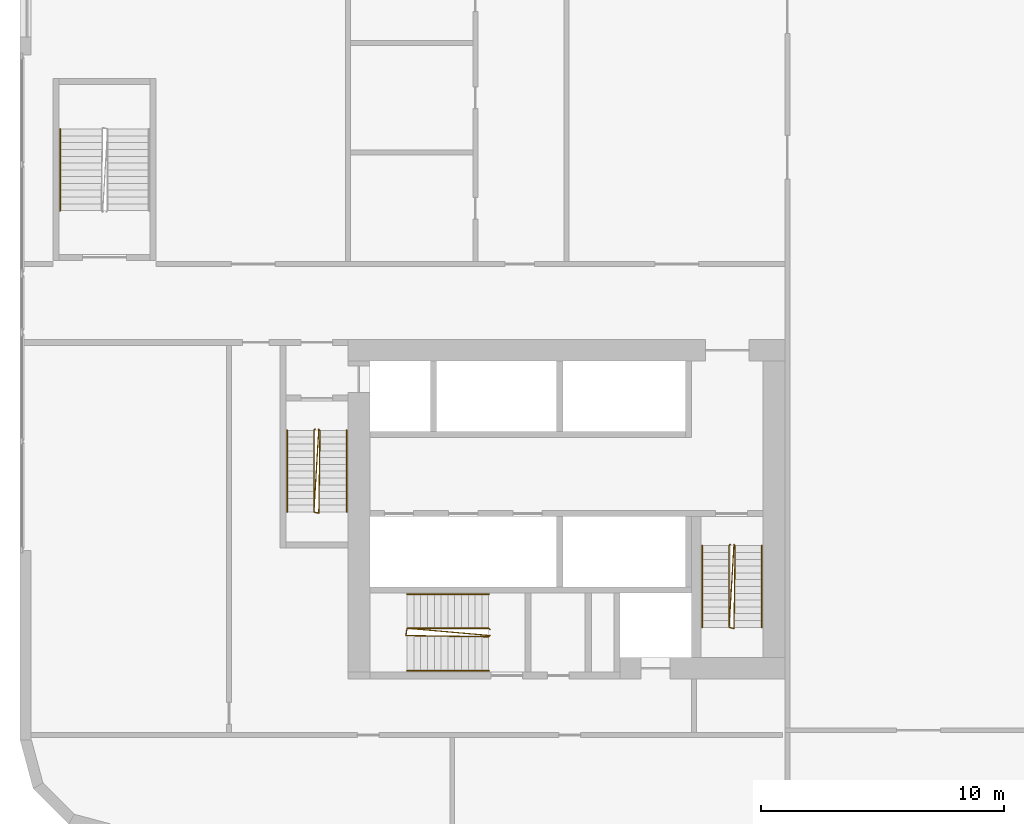
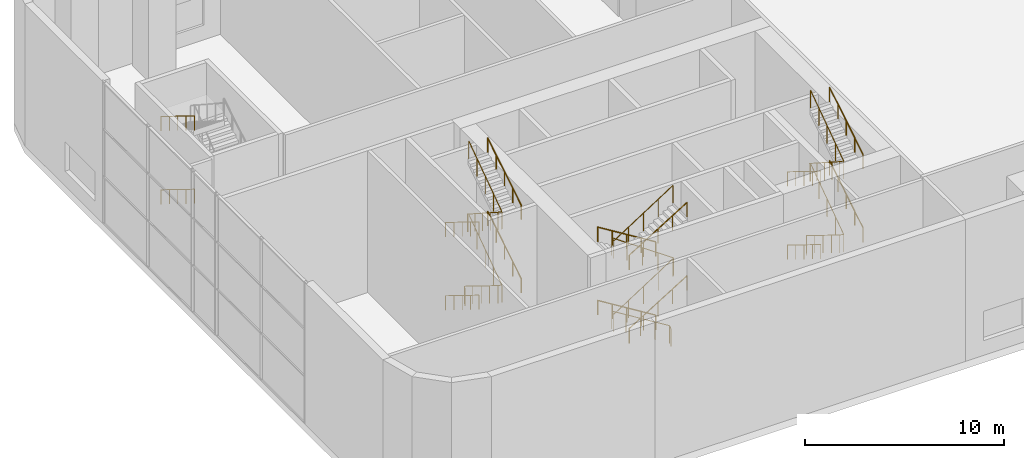
# One storey, part 22 of 24: 17 railings.
"""IFC4 building model written with IfcOpenShell, lengths in metres."""

from ifc_helpers import new_model, si_unit, direction, frame, origin, origin_2d, place, context, subcontext, project, spatial, circle, extrude, material, type_object, element, save


model = new_model("IFC4")

# Units and contexts
model_context = context("Model", 3, precision=1e-05, world=origin(), true_north=direction((0.0, 1.0)))
body_context = subcontext(model_context, "Body", "Model", "MODEL_VIEW")
ifc_project = project(units=[si_unit("LENGTHUNIT", "METRE"), si_unit("AREAUNIT", "SQUARE_METRE"), si_unit("VOLUMEUNIT", "CUBIC_METRE"), si_unit("PLANEANGLEUNIT", "RADIAN"), si_unit("MASSUNIT", "GRAM", prefix="KILO")], contexts=[model_context])

# Site, building, storey
site_placement = place(None, origin())
site = spatial("IfcSite", under=ifc_project, at=site_placement, CompositionType="ELEMENT")
building_placement = place(site_placement, origin())
building = spatial("IfcBuilding", under=site, at=building_placement, Name="Kajstack Hotel Tower", CompositionType="ELEMENT")
storey_placement = place(building_placement, frame((0.0, 0.0, 38.0)))
storey = spatial("IfcBuildingStorey", under=building, at=storey_placement, Name="L06", CompositionType="ELEMENT", Elevation=38.0)

# Railings
ifc_material = material(Name="Steel S355J2", Category="steel")
railing_type_1 = type_object("IfcRailingType", Name="Stair guard 1100", PredefinedType="GUARDRAIL", material=ifc_material)
railing_1_placement = place(storey_placement, frame((-32.85009765625, -5.199951171875, 0.0)))
element("IfcRailing", 1, at=railing_1_placement, inside=storey, type_object=railing_type_1, Name="L06 W1 stair guard 1", PredefinedType="GUARDRAIL", context=body_context, shape_type="SweptSolid", body=[
    extrude(circle(Radius=0.02392578125, at=origin_2d()), frame((0.0, 0.0, 1.076171875), z_axis=(-0.266417085129, -0.267723051232, 0.925929967433), x_axis=(0.708833529934, -0.705375805398, 0.0)), (0.0, 0.0, 1.0), 0.18701171875),
    extrude(circle(Radius=0.02392578125, at=origin_2d()), frame((-0.0498046875, -0.050048828125, 1.2490234375), z_axis=(0.0, -0.850623216509, 0.525775754039), x_axis=(1.0, 0.0, 0.0)), (0.0, 0.0, 1.0), 3.9501953125),
    extrude(circle(Radius=0.02392578125, at=origin_2d()), frame((-0.0498046875, -3.41015625, 3.326171875), z_axis=(0.970351222016, -0.241699205484, 0.0), x_axis=(0.241699205484, 0.970351222016, 0.0)), (0.0, 0.0, 1.0), 0.2060546875),
    extrude(circle(Radius=0.02392578125, at=origin_2d()), frame((0.150146484375, -3.4599609375, 3.326171875), z_axis=(0.012249917091, 0.834607765926, 0.550708467873), x_axis=(-0.999892303572, 0.014675873289, 0.0)), (0.0, 0.0, 1.0), 4.085693359375),
    extrude(circle(Radius=0.02392578125, at=origin_2d()), frame((0.2001953125, -0.050048828125, 5.576171875), z_axis=(-0.707106781187, 0.707106781187, 0.0), x_axis=(-0.707106781187, -0.707106781187, 0.0)), (0.0, 0.0, 1.0), 0.07080078125),
    extrude(circle(Radius=0.02392578125, at=origin_2d()), frame((0.150146484375, 0.0, 5.576171875), z_axis=(-0.048882636145, -0.833690673598, 0.55006394959), x_axis=(0.998285445461, -0.058533489392, 0.0)), (0.0, 0.0, 1.0), 4.09033203125),
    extrude(circle(Radius=0.02392578125, at=origin_2d()), frame((-0.0498046875, -3.41015625, 7.826171875), z_axis=(0.970351222016, -0.241699205484, 0.0), x_axis=(0.241699205484, 0.970351222016, 0.0)), (0.0, 0.0, 1.0), 0.2060546875),
    extrude(circle(Radius=0.02392578125, at=origin_2d()), frame((0.150146484375, -3.4599609375, 7.826171875), z_axis=(0.012249917091, 0.834607765926, 0.550708467873), x_axis=(-0.999892303572, 0.014675873289, 0.0)), (0.0, 0.0, 1.0), 4.085693359375),
    extrude(circle(Radius=0.02099609375, at=origin_2d()), origin(), (0.0, 0.0, 1.0), 1.052001953125),
    extrude(circle(Radius=0.02099609375, at=origin_2d()), frame((-0.0498046875, -0.050048828125, 0.173095703125)), (0.0, 0.0, 1.0), 1.052001953125),
    extrude(circle(Radius=0.02099609375, at=origin_2d()), frame((-0.0498046875, -0.89013671875, 0.6923828125)), (0.0, 0.0, 1.0), 1.052001953125),
    extrude(circle(Radius=0.02099609375, at=origin_2d()), frame((-0.0498046875, -1.72998046875, 1.21142578125)), (0.0, 0.0, 1.0), 1.052001953125),
    extrude(circle(Radius=0.02099609375, at=origin_2d()), frame((-0.0498046875, -2.570068359375, 1.730712890625)), (0.0, 0.0, 1.0), 1.052001953125),
    extrude(circle(Radius=0.02099609375, at=origin_2d()), frame((-0.0498046875, -3.41015625, 2.25)), (0.0, 0.0, 1.0), 1.052001953125),
    extrude(circle(Radius=0.02099609375, at=origin_2d()), frame((0.150146484375, -3.4599609375, 2.25)), (0.0, 0.0, 1.0), 1.052001953125),
    extrude(circle(Radius=0.02099609375, at=origin_2d()), frame((0.16259765625, -2.607421875, 2.8125)), (0.0, 0.0, 1.0), 1.052001953125),
    extrude(circle(Radius=0.02099609375, at=origin_2d()), frame((0.17529296875, -1.7548828125, 3.375)), (0.0, 0.0, 1.0), 1.052001953125),
    extrude(circle(Radius=0.02099609375, at=origin_2d()), frame((0.187744140625, -0.902587890625, 3.9375)), (0.0, 0.0, 1.0), 1.052001953125),
    extrude(circle(Radius=0.02099609375, at=origin_2d()), frame((0.2001953125, -0.050048828125, 4.5)), (0.0, 0.0, 1.0), 1.052001953125),
    extrude(circle(Radius=0.02099609375, at=origin_2d()), frame((0.150146484375, 0.0, 4.5)), (0.0, 0.0, 1.0), 1.052001953125),
    extrude(circle(Radius=0.02099609375, at=origin_2d()), frame((0.10009765625, -0.8525390625, 5.0625)), (0.0, 0.0, 1.0), 1.052001953125),
    extrude(circle(Radius=0.02099609375, at=origin_2d()), frame((0.05029296875, -1.705078125, 5.625)), (0.0, 0.0, 1.0), 1.052001953125),
    extrude(circle(Radius=0.02099609375, at=origin_2d()), frame((0.000244140625, -2.5576171875, 6.1875)), (0.0, 0.0, 1.0), 1.052001953125),
    extrude(circle(Radius=0.02099609375, at=origin_2d()), frame((-0.0498046875, -3.41015625, 6.75)), (0.0, 0.0, 1.0), 1.052001953125),
    extrude(circle(Radius=0.02099609375, at=origin_2d()), frame((0.150146484375, -3.4599609375, 6.75)), (0.0, 0.0, 1.0), 1.052001953125),
    extrude(circle(Radius=0.02099609375, at=origin_2d()), frame((0.16259765625, -2.607421875, 7.3125)), (0.0, 0.0, 1.0), 1.052001953125),
    extrude(circle(Radius=0.02099609375, at=origin_2d()), frame((0.17529296875, -1.7548828125, 7.875)), (0.0, 0.0, 1.0), 1.052001953125),
    extrude(circle(Radius=0.02099609375, at=origin_2d()), frame((0.187744140625, -0.902587890625, 8.4375)), (0.0, 0.0, 1.0), 1.052001953125),
    extrude(circle(Radius=0.02099609375, at=origin_2d()), frame((0.2001953125, -0.050048828125, 9.0)), (0.0, 0.0, 1.0), 1.052001953125),
])
railing_2_placement = place(storey_placement, frame((-15.75, -9.949951171875, 0.0)))
element("IfcRailing", 2, at=railing_2_placement, inside=storey, type_object=railing_type_1, Name="L06 W2 stair guard 1", PredefinedType="GUARDRAIL", context=body_context, shape_type="SweptSolid", body=[
    extrude(circle(Radius=0.02392578125, at=origin_2d()), frame((0.0, 0.0, 1.076171875), z_axis=(-0.267629722418, -0.267629722418, 0.925607186314), x_axis=(0.707106781187, -0.707106781187, 0.0)), (0.0, 0.0, 1.0), 0.18701171875),
    extrude(circle(Radius=0.02392578125, at=origin_2d()), frame((-0.050048828125, -0.050048828125, 1.2490234375), z_axis=(0.0, -0.850623216509, 0.525775754039), x_axis=(1.0, 0.0, 0.0)), (0.0, 0.0, 1.0), 3.9501953125),
    extrude(circle(Radius=0.02392578125, at=origin_2d()), frame((-0.050048828125, -3.41015625, 3.326171875), z_axis=(0.970351222016, -0.241699205484, 0.0), x_axis=(0.241699205484, 0.970351222016, 0.0)), (0.0, 0.0, 1.0), 0.2060546875),
    extrude(circle(Radius=0.02392578125, at=origin_2d()), frame((0.14990234375, -3.4599609375, 3.326171875), z_axis=(0.012249917091, 0.834607765926, 0.550708467873), x_axis=(-0.999892303572, 0.014675873289, 0.0)), (0.0, 0.0, 1.0), 4.085693359375),
    extrude(circle(Radius=0.02392578125, at=origin_2d()), frame((0.199951171875, -0.050048828125, 5.576171875), z_axis=(-0.707106781187, 0.707106781187, 0.0), x_axis=(-0.707106781187, -0.707106781187, 0.0)), (0.0, 0.0, 1.0), 0.07080078125),
    extrude(circle(Radius=0.02392578125, at=origin_2d()), frame((0.14990234375, 0.0, 5.576171875), z_axis=(-0.048882636145, -0.833690673598, 0.55006394959), x_axis=(0.998285445461, -0.058533489392, 0.0)), (0.0, 0.0, 1.0), 4.09033203125),
    extrude(circle(Radius=0.02392578125, at=origin_2d()), frame((-0.050048828125, -3.41015625, 7.826171875), z_axis=(0.970351222016, -0.241699205484, 0.0), x_axis=(0.241699205484, 0.970351222016, 0.0)), (0.0, 0.0, 1.0), 0.2060546875),
    extrude(circle(Radius=0.02392578125, at=origin_2d()), frame((0.14990234375, -3.4599609375, 7.826171875), z_axis=(0.012249917091, 0.834607765926, 0.550708467873), x_axis=(-0.999892303572, 0.014675873289, 0.0)), (0.0, 0.0, 1.0), 4.085693359375),
    extrude(circle(Radius=0.02099609375, at=origin_2d()), origin(), (0.0, 0.0, 1.0), 1.052001953125),
    extrude(circle(Radius=0.02099609375, at=origin_2d()), frame((-0.050048828125, -0.050048828125, 0.173095703125)), (0.0, 0.0, 1.0), 1.052001953125),
    extrude(circle(Radius=0.02099609375, at=origin_2d()), frame((-0.050048828125, -0.89013671875, 0.6923828125)), (0.0, 0.0, 1.0), 1.052001953125),
    extrude(circle(Radius=0.02099609375, at=origin_2d()), frame((-0.050048828125, -1.72998046875, 1.21142578125)), (0.0, 0.0, 1.0), 1.052001953125),
    extrude(circle(Radius=0.02099609375, at=origin_2d()), frame((-0.050048828125, -2.570068359375, 1.730712890625)), (0.0, 0.0, 1.0), 1.052001953125),
    extrude(circle(Radius=0.02099609375, at=origin_2d()), frame((-0.050048828125, -3.41015625, 2.25)), (0.0, 0.0, 1.0), 1.052001953125),
    extrude(circle(Radius=0.02099609375, at=origin_2d()), frame((0.14990234375, -3.4599609375, 2.25)), (0.0, 0.0, 1.0), 1.052001953125),
    extrude(circle(Radius=0.02099609375, at=origin_2d()), frame((0.162353515625, -2.607421875, 2.8125)), (0.0, 0.0, 1.0), 1.052001953125),
    extrude(circle(Radius=0.02099609375, at=origin_2d()), frame((0.1748046875, -1.7548828125, 3.375)), (0.0, 0.0, 1.0), 1.052001953125),
    extrude(circle(Radius=0.02099609375, at=origin_2d()), frame((0.1875, -0.902587890625, 3.9375)), (0.0, 0.0, 1.0), 1.052001953125),
    extrude(circle(Radius=0.02099609375, at=origin_2d()), frame((0.199951171875, -0.050048828125, 4.5)), (0.0, 0.0, 1.0), 1.052001953125),
    extrude(circle(Radius=0.02099609375, at=origin_2d()), frame((0.14990234375, 0.0, 4.5)), (0.0, 0.0, 1.0), 1.052001953125),
    extrude(circle(Radius=0.02099609375, at=origin_2d()), frame((0.099853515625, -0.8525390625, 5.0625)), (0.0, 0.0, 1.0), 1.052001953125),
    extrude(circle(Radius=0.02099609375, at=origin_2d()), frame((0.0498046875, -1.705078125, 5.625)), (0.0, 0.0, 1.0), 1.052001953125),
    extrude(circle(Radius=0.02099609375, at=origin_2d()), frame((0.0, -2.5576171875, 6.1875)), (0.0, 0.0, 1.0), 1.052001953125),
    extrude(circle(Radius=0.02099609375, at=origin_2d()), frame((-0.050048828125, -3.41015625, 6.75)), (0.0, 0.0, 1.0), 1.052001953125),
    extrude(circle(Radius=0.02099609375, at=origin_2d()), frame((0.14990234375, -3.4599609375, 6.75)), (0.0, 0.0, 1.0), 1.052001953125),
    extrude(circle(Radius=0.02099609375, at=origin_2d()), frame((0.162353515625, -2.607421875, 7.3125)), (0.0, 0.0, 1.0), 1.052001953125),
    extrude(circle(Radius=0.02099609375, at=origin_2d()), frame((0.1748046875, -1.7548828125, 7.875)), (0.0, 0.0, 1.0), 1.052001953125),
    extrude(circle(Radius=0.02099609375, at=origin_2d()), frame((0.1875, -0.902587890625, 8.4375)), (0.0, 0.0, 1.0), 1.052001953125),
    extrude(circle(Radius=0.02099609375, at=origin_2d()), frame((0.199951171875, -0.050048828125, 9.0)), (0.0, 0.0, 1.0), 1.052001953125),
])
railing_3_placement = place(storey_placement, frame((-25.64990234375, -13.449951171875, 0.0)))
element("IfcRailing", 3, at=railing_3_placement, inside=storey, type_object=railing_type_1, Name="L06 W3 stair guard 1", PredefinedType="GUARDRAIL", context=body_context, shape_type="SweptSolid", body=[
    extrude(circle(Radius=0.02392578125, at=origin_2d()), frame((0.0, 0.0, 1.076171875), z_axis=(-0.267629722418, 0.267629722418, 0.925607186314), x_axis=(-0.707106781187, -0.707106781187, 0.0)), (0.0, 0.0, 1.0), 0.18701171875),
    extrude(circle(Radius=0.02392578125, at=origin_2d()), frame((-0.050048828125, 0.050048828125, 1.2490234375), z_axis=(-0.850623216509, 0.0, 0.525775754039), x_axis=(0.0, -1.0, 0.0)), (0.0, 0.0, 1.0), 3.9501953125),
    extrude(circle(Radius=0.02392578125, at=origin_2d()), frame((-3.41015625, 0.050048828125, 3.326171875), z_axis=(-0.164529134168, -0.986372223864, 0.0), x_axis=(0.986372223864, -0.164529134168, 0.0)), (0.0, 0.0, 1.0), 0.30419921875),
    extrude(circle(Radius=0.02392578125, at=origin_2d()), frame((-3.460205078125, -0.25, 3.326171875), z_axis=(0.834625896233, -0.01224930618, 0.5506810037), x_axis=(0.014674822837, 0.99989231899, 0.0)), (0.0, 0.0, 1.0), 4.0859375),
    extrude(circle(Radius=0.02392578125, at=origin_2d()), frame((-0.050048828125, -0.300048828125, 5.576171875), z_axis=(0.707106781187, 0.707106781187, 0.0), x_axis=(-0.707106781187, 0.707106781187, 0.0)), (0.0, 0.0, 1.0), 0.07080078125),
    extrude(circle(Radius=0.02392578125, at=origin_2d()), frame((0.0, -0.25, 5.576171875), z_axis=(-0.832446568112, 0.073244332203, 0.549243096487), x_axis=(-0.08764820887, -0.996151490227, 0.0)), (0.0, 0.0, 1.0), 4.096435546875),
    extrude(circle(Radius=0.02392578125, at=origin_2d()), frame((-3.41015625, 0.050048828125, 7.826171875), z_axis=(-0.164529134168, -0.986372223864, 0.0), x_axis=(0.986372223864, -0.164529134168, 0.0)), (0.0, 0.0, 1.0), 0.30419921875),
    extrude(circle(Radius=0.02392578125, at=origin_2d()), frame((-3.460205078125, -0.25, 7.826171875), z_axis=(0.834625896233, -0.01224930618, 0.5506810037), x_axis=(0.014674822837, 0.99989231899, 0.0)), (0.0, 0.0, 1.0), 4.0859375),
    extrude(circle(Radius=0.02099609375, at=origin_2d()), origin(), (0.0, 0.0, 1.0), 1.052001953125),
    extrude(circle(Radius=0.02099609375, at=origin_2d()), frame((-0.050048828125, 0.050048828125, 0.173095703125)), (0.0, 0.0, 1.0), 1.052001953125),
    extrude(circle(Radius=0.02099609375, at=origin_2d()), frame((-0.89013671875, 0.050048828125, 0.6923828125)), (0.0, 0.0, 1.0), 1.052001953125),
    extrude(circle(Radius=0.02099609375, at=origin_2d()), frame((-1.72998046875, 0.050048828125, 1.21142578125)), (0.0, 0.0, 1.0), 1.052001953125),
    extrude(circle(Radius=0.02099609375, at=origin_2d()), frame((-2.570068359375, 0.050048828125, 1.730712890625)), (0.0, 0.0, 1.0), 1.052001953125),
    extrude(circle(Radius=0.02099609375, at=origin_2d()), frame((-3.41015625, 0.050048828125, 2.25)), (0.0, 0.0, 1.0), 1.052001953125),
    extrude(circle(Radius=0.02099609375, at=origin_2d()), frame((-3.460205078125, -0.25, 2.25)), (0.0, 0.0, 1.0), 1.052001953125),
    extrude(circle(Radius=0.02099609375, at=origin_2d()), frame((-2.607666015625, -0.262451171875, 2.8125)), (0.0, 0.0, 1.0), 1.052001953125),
    extrude(circle(Radius=0.02099609375, at=origin_2d()), frame((-1.755126953125, -0.27490234375, 3.375)), (0.0, 0.0, 1.0), 1.052001953125),
    extrude(circle(Radius=0.02099609375, at=origin_2d()), frame((-0.902587890625, -0.28759765625, 3.9375)), (0.0, 0.0, 1.0), 1.052001953125),
    extrude(circle(Radius=0.02099609375, at=origin_2d()), frame((-0.050048828125, -0.300048828125, 4.5)), (0.0, 0.0, 1.0), 1.052001953125),
    extrude(circle(Radius=0.02099609375, at=origin_2d()), frame((0.0, -0.25, 4.5)), (0.0, 0.0, 1.0), 1.052001953125),
    extrude(circle(Radius=0.02099609375, at=origin_2d()), frame((-0.8525390625, -0.175048828125, 5.0625)), (0.0, 0.0, 1.0), 1.052001953125),
    extrude(circle(Radius=0.02099609375, at=origin_2d()), frame((-1.705078125, -0.10009765625, 5.625)), (0.0, 0.0, 1.0), 1.052001953125),
    extrude(circle(Radius=0.02099609375, at=origin_2d()), frame((-2.5576171875, -0.02490234375, 6.1875)), (0.0, 0.0, 1.0), 1.052001953125),
    extrude(circle(Radius=0.02099609375, at=origin_2d()), frame((-3.41015625, 0.050048828125, 6.75)), (0.0, 0.0, 1.0), 1.052001953125),
    extrude(circle(Radius=0.02099609375, at=origin_2d()), frame((-3.460205078125, -0.25, 6.75)), (0.0, 0.0, 1.0), 1.052001953125),
    extrude(circle(Radius=0.02099609375, at=origin_2d()), frame((-2.607666015625, -0.262451171875, 7.3125)), (0.0, 0.0, 1.0), 1.052001953125),
    extrude(circle(Radius=0.02099609375, at=origin_2d()), frame((-1.755126953125, -0.27490234375, 7.875)), (0.0, 0.0, 1.0), 1.052001953125),
    extrude(circle(Radius=0.02099609375, at=origin_2d()), frame((-0.902587890625, -0.28759765625, 8.4375)), (0.0, 0.0, 1.0), 1.052001953125),
    extrude(circle(Radius=0.02099609375, at=origin_2d()), frame((-0.050048828125, -0.300048828125, 9.0)), (0.0, 0.0, 1.0), 1.052001953125),
])
railing_type_2 = type_object("IfcRailingType", Name="Stair handrail 900", PredefinedType="HANDRAIL", material=ifc_material)
railing_4_placement = place(storey_placement, frame((-34.0, -5.25, 0.173095703125)))
element("IfcRailing", 4, at=railing_4_placement, inside=storey, type_object=railing_type_2, Name="L06 W1 stair handrail 1", PredefinedType="HANDRAIL", context=body_context, shape_type="SweptSolid", body=[
    extrude(circle(Radius=0.02392578125, at=origin_2d()), frame((0.0, 0.0, 0.8759765625), z_axis=(0.0, -0.850623216509, 0.525775754039), x_axis=(1.0, 0.0, 0.0)), (0.0, 0.0, 1.0), 3.9501953125),
    extrude(circle(Radius=0.02099609375, at=origin_2d()), origin(), (0.0, 0.0, 1.0), 0.851806640625),
    extrude(circle(Radius=0.02099609375, at=origin_2d()), frame((0.0, -0.840087890625, 0.519287109375)), (0.0, 0.0, 1.0), 0.851806640625),
    extrude(circle(Radius=0.02099609375, at=origin_2d()), frame((0.0, -1.68017578125, 1.03857421875)), (0.0, 0.0, 1.0), 0.851806640625),
    extrude(circle(Radius=0.02099609375, at=origin_2d()), frame((0.0, -2.52001953125, 1.5576171875)), (0.0, 0.0, 1.0), 0.851806640625),
    extrude(circle(Radius=0.02099609375, at=origin_2d()), frame((0.0, -3.360107421875, 2.076904296875)), (0.0, 0.0, 1.0), 0.851806640625),
])
railing_5_placement = place(storey_placement, frame((-31.550048828125, -8.610107421875, 2.423095703125)))
element("IfcRailing", 5, at=railing_5_placement, inside=storey, type_object=railing_type_2, Name="L06 W1 stair handrail 2", PredefinedType="HANDRAIL", context=body_context, shape_type="SweptSolid", body=[
    extrude(circle(Radius=0.02392578125, at=origin_2d()), frame((0.0, 0.0, 0.8759765625), z_axis=(0.0, 0.850623216509, 0.525775754039), x_axis=(-1.0, 0.0, 0.0)), (0.0, 0.0, 1.0), 3.9501953125),
    extrude(circle(Radius=0.02099609375, at=origin_2d()), origin(), (0.0, 0.0, 1.0), 0.851806640625),
    extrude(circle(Radius=0.02099609375, at=origin_2d()), frame((0.0, 0.840087890625, 0.519287109375)), (0.0, 0.0, 1.0), 0.851806640625),
    extrude(circle(Radius=0.02099609375, at=origin_2d()), frame((0.0, 1.68017578125, 1.03857421875)), (0.0, 0.0, 1.0), 0.851806640625),
    extrude(circle(Radius=0.02099609375, at=origin_2d()), frame((0.0, 2.52001953125, 1.5576171875)), (0.0, 0.0, 1.0), 0.851806640625),
    extrude(circle(Radius=0.02099609375, at=origin_2d()), frame((0.0, 3.360107421875, 2.076904296875)), (0.0, 0.0, 1.0), 0.851806640625),
])
railing_6_placement = place(storey_placement, frame((-34.0, -5.25, 4.673095703125)))
element("IfcRailing", 6, at=railing_6_placement, inside=storey, type_object=railing_type_2, Name="L06 W1 stair handrail 3", PredefinedType="HANDRAIL", context=body_context, shape_type="SweptSolid", body=[
    extrude(circle(Radius=0.02392578125, at=origin_2d()), frame((0.0, 0.0, 0.8759765625), z_axis=(0.0, -0.850623216509, 0.525775754039), x_axis=(1.0, 0.0, 0.0)), (0.0, 0.0, 1.0), 3.9501953125),
    extrude(circle(Radius=0.02099609375, at=origin_2d()), origin(), (0.0, 0.0, 1.0), 0.851806640625),
    extrude(circle(Radius=0.02099609375, at=origin_2d()), frame((0.0, -0.840087890625, 0.519287109375)), (0.0, 0.0, 1.0), 0.851806640625),
    extrude(circle(Radius=0.02099609375, at=origin_2d()), frame((0.0, -1.68017578125, 1.03857421875)), (0.0, 0.0, 1.0), 0.851806640625),
    extrude(circle(Radius=0.02099609375, at=origin_2d()), frame((0.0, -2.52001953125, 1.5576171875)), (0.0, 0.0, 1.0), 0.851806640625),
    extrude(circle(Radius=0.02099609375, at=origin_2d()), frame((0.0, -3.360107421875, 2.076904296875)), (0.0, 0.0, 1.0), 0.851806640625),
])
railing_7_placement = place(storey_placement, frame((-31.550048828125, -8.610107421875, 6.923095703125)))
element("IfcRailing", 7, at=railing_7_placement, inside=storey, type_object=railing_type_2, Name="L06 W1 stair handrail 4", PredefinedType="HANDRAIL", context=body_context, shape_type="SweptSolid", body=[
    extrude(circle(Radius=0.02392578125, at=origin_2d()), frame((0.0, 0.0, 0.8759765625), z_axis=(0.0, 0.850623216509, 0.525775754039), x_axis=(-1.0, 0.0, 0.0)), (0.0, 0.0, 1.0), 3.9501953125),
    extrude(circle(Radius=0.02099609375, at=origin_2d()), origin(), (0.0, 0.0, 1.0), 0.851806640625),
    extrude(circle(Radius=0.02099609375, at=origin_2d()), frame((0.0, 0.840087890625, 0.519287109375)), (0.0, 0.0, 1.0), 0.851806640625),
    extrude(circle(Radius=0.02099609375, at=origin_2d()), frame((0.0, 1.68017578125, 1.03857421875)), (0.0, 0.0, 1.0), 0.851806640625),
    extrude(circle(Radius=0.02099609375, at=origin_2d()), frame((0.0, 2.52001953125, 1.5576171875)), (0.0, 0.0, 1.0), 0.851806640625),
    extrude(circle(Radius=0.02099609375, at=origin_2d()), frame((0.0, 3.360107421875, 2.076904296875)), (0.0, 0.0, 1.0), 0.851806640625),
])
railing_8_placement = place(storey_placement, frame((-16.89990234375, -10.0, 0.173095703125)))
element("IfcRailing", 8, at=railing_8_placement, inside=storey, type_object=railing_type_2, Name="L06 W2 stair handrail 1", PredefinedType="HANDRAIL", context=body_context, shape_type="SweptSolid", body=[
    extrude(circle(Radius=0.02392578125, at=origin_2d()), frame((0.0, 0.0, 0.8759765625), z_axis=(0.0, -0.850623216509, 0.525775754039), x_axis=(1.0, 0.0, 0.0)), (0.0, 0.0, 1.0), 3.9501953125),
    extrude(circle(Radius=0.02099609375, at=origin_2d()), origin(), (0.0, 0.0, 1.0), 0.851806640625),
    extrude(circle(Radius=0.02099609375, at=origin_2d()), frame((0.0, -0.840087890625, 0.519287109375)), (0.0, 0.0, 1.0), 0.851806640625),
    extrude(circle(Radius=0.02099609375, at=origin_2d()), frame((0.0, -1.68017578125, 1.03857421875)), (0.0, 0.0, 1.0), 0.851806640625),
    extrude(circle(Radius=0.02099609375, at=origin_2d()), frame((0.0, -2.52001953125, 1.5576171875)), (0.0, 0.0, 1.0), 0.851806640625),
    extrude(circle(Radius=0.02099609375, at=origin_2d()), frame((0.0, -3.360107421875, 2.076904296875)), (0.0, 0.0, 1.0), 0.851806640625),
])
railing_9_placement = place(storey_placement, frame((-14.449951171875, -13.360107421875, 2.423095703125)))
element("IfcRailing", 9, at=railing_9_placement, inside=storey, type_object=railing_type_2, Name="L06 W2 stair handrail 2", PredefinedType="HANDRAIL", context=body_context, shape_type="SweptSolid", body=[
    extrude(circle(Radius=0.02392578125, at=origin_2d()), frame((0.0, 0.0, 0.8759765625), z_axis=(0.0, 0.850623216509, 0.525775754039), x_axis=(-1.0, 0.0, 0.0)), (0.0, 0.0, 1.0), 3.9501953125),
    extrude(circle(Radius=0.02099609375, at=origin_2d()), origin(), (0.0, 0.0, 1.0), 0.851806640625),
    extrude(circle(Radius=0.02099609375, at=origin_2d()), frame((0.0, 0.840087890625, 0.519287109375)), (0.0, 0.0, 1.0), 0.851806640625),
    extrude(circle(Radius=0.02099609375, at=origin_2d()), frame((0.0, 1.68017578125, 1.03857421875)), (0.0, 0.0, 1.0), 0.851806640625),
    extrude(circle(Radius=0.02099609375, at=origin_2d()), frame((0.0, 2.52001953125, 1.5576171875)), (0.0, 0.0, 1.0), 0.851806640625),
    extrude(circle(Radius=0.02099609375, at=origin_2d()), frame((0.0, 3.360107421875, 2.076904296875)), (0.0, 0.0, 1.0), 0.851806640625),
])
railing_10_placement = place(storey_placement, frame((-16.89990234375, -10.0, 4.673095703125)))
element("IfcRailing", 10, at=railing_10_placement, inside=storey, type_object=railing_type_2, Name="L06 W2 stair handrail 3", PredefinedType="HANDRAIL", context=body_context, shape_type="SweptSolid", body=[
    extrude(circle(Radius=0.02392578125, at=origin_2d()), frame((0.0, 0.0, 0.8759765625), z_axis=(0.0, -0.850623216509, 0.525775754039), x_axis=(1.0, 0.0, 0.0)), (0.0, 0.0, 1.0), 3.9501953125),
    extrude(circle(Radius=0.02099609375, at=origin_2d()), origin(), (0.0, 0.0, 1.0), 0.851806640625),
    extrude(circle(Radius=0.02099609375, at=origin_2d()), frame((0.0, -0.840087890625, 0.519287109375)), (0.0, 0.0, 1.0), 0.851806640625),
    extrude(circle(Radius=0.02099609375, at=origin_2d()), frame((0.0, -1.68017578125, 1.03857421875)), (0.0, 0.0, 1.0), 0.851806640625),
    extrude(circle(Radius=0.02099609375, at=origin_2d()), frame((0.0, -2.52001953125, 1.5576171875)), (0.0, 0.0, 1.0), 0.851806640625),
    extrude(circle(Radius=0.02099609375, at=origin_2d()), frame((0.0, -3.360107421875, 2.076904296875)), (0.0, 0.0, 1.0), 0.851806640625),
])
railing_11_placement = place(storey_placement, frame((-14.449951171875, -13.360107421875, 6.923095703125)))
element("IfcRailing", 11, at=railing_11_placement, inside=storey, type_object=railing_type_2, Name="L06 W2 stair handrail 4", PredefinedType="HANDRAIL", context=body_context, shape_type="SweptSolid", body=[
    extrude(circle(Radius=0.02392578125, at=origin_2d()), frame((0.0, 0.0, 0.8759765625), z_axis=(0.0, 0.850623216509, 0.525775754039), x_axis=(-1.0, 0.0, 0.0)), (0.0, 0.0, 1.0), 3.9501953125),
    extrude(circle(Radius=0.02099609375, at=origin_2d()), origin(), (0.0, 0.0, 1.0), 0.851806640625),
    extrude(circle(Radius=0.02099609375, at=origin_2d()), frame((0.0, 0.840087890625, 0.519287109375)), (0.0, 0.0, 1.0), 0.851806640625),
    extrude(circle(Radius=0.02099609375, at=origin_2d()), frame((0.0, 1.68017578125, 1.03857421875)), (0.0, 0.0, 1.0), 0.851806640625),
    extrude(circle(Radius=0.02099609375, at=origin_2d()), frame((0.0, 2.52001953125, 1.5576171875)), (0.0, 0.0, 1.0), 0.851806640625),
    extrude(circle(Radius=0.02099609375, at=origin_2d()), frame((0.0, 3.360107421875, 2.076904296875)), (0.0, 0.0, 1.0), 0.851806640625),
])
railing_12_placement = place(storey_placement, frame((-25.699951171875, -12.0, 0.173095703125)))
element("IfcRailing", 12, at=railing_12_placement, inside=storey, type_object=railing_type_2, Name="L06 W3 stair handrail 1", PredefinedType="HANDRAIL", context=body_context, shape_type="SweptSolid", body=[
    extrude(circle(Radius=0.02392578125, at=origin_2d()), frame((0.0, 0.0, 0.8759765625), z_axis=(-0.850623216509, 0.0, 0.525775754039), x_axis=(0.0, -1.0, 0.0)), (0.0, 0.0, 1.0), 3.9501953125),
    extrude(circle(Radius=0.02099609375, at=origin_2d()), origin(), (0.0, 0.0, 1.0), 0.851806640625),
    extrude(circle(Radius=0.02099609375, at=origin_2d()), frame((-0.840087890625, 0.0, 0.519287109375)), (0.0, 0.0, 1.0), 0.851806640625),
    extrude(circle(Radius=0.02099609375, at=origin_2d()), frame((-1.68017578125, 0.0, 1.03857421875)), (0.0, 0.0, 1.0), 0.851806640625),
    extrude(circle(Radius=0.02099609375, at=origin_2d()), frame((-2.52001953125, 0.0, 1.5576171875)), (0.0, 0.0, 1.0), 0.851806640625),
    extrude(circle(Radius=0.02099609375, at=origin_2d()), frame((-3.360107421875, 0.0, 2.076904296875)), (0.0, 0.0, 1.0), 0.851806640625),
])
railing_13_placement = place(storey_placement, frame((-29.06005859375, -15.14990234375, 2.423095703125)))
element("IfcRailing", 13, at=railing_13_placement, inside=storey, type_object=railing_type_2, Name="L06 W3 stair handrail 2", PredefinedType="HANDRAIL", context=body_context, shape_type="SweptSolid", body=[
    extrude(circle(Radius=0.02392578125, at=origin_2d()), frame((0.0, 0.0, 0.8759765625), z_axis=(0.850623216509, 0.0, 0.525775754039), x_axis=(0.0, 1.0, 0.0)), (0.0, 0.0, 1.0), 3.9501953125),
    extrude(circle(Radius=0.02099609375, at=origin_2d()), origin(), (0.0, 0.0, 1.0), 0.851806640625),
    extrude(circle(Radius=0.02099609375, at=origin_2d()), frame((0.840087890625, 0.0, 0.519287109375)), (0.0, 0.0, 1.0), 0.851806640625),
    extrude(circle(Radius=0.02099609375, at=origin_2d()), frame((1.68017578125, 0.0, 1.03857421875)), (0.0, 0.0, 1.0), 0.851806640625),
    extrude(circle(Radius=0.02099609375, at=origin_2d()), frame((2.52001953125, 0.0, 1.5576171875)), (0.0, 0.0, 1.0), 0.851806640625),
    extrude(circle(Radius=0.02099609375, at=origin_2d()), frame((3.360107421875, 0.0, 2.076904296875)), (0.0, 0.0, 1.0), 0.851806640625),
])
railing_14_placement = place(storey_placement, frame((-25.699951171875, -12.0, 4.673095703125)))
element("IfcRailing", 14, at=railing_14_placement, inside=storey, type_object=railing_type_2, Name="L06 W3 stair handrail 3", PredefinedType="HANDRAIL", context=body_context, shape_type="SweptSolid", body=[
    extrude(circle(Radius=0.02392578125, at=origin_2d()), frame((0.0, 0.0, 0.8759765625), z_axis=(-0.850623216509, 0.0, 0.525775754039), x_axis=(0.0, -1.0, 0.0)), (0.0, 0.0, 1.0), 3.9501953125),
    extrude(circle(Radius=0.02099609375, at=origin_2d()), origin(), (0.0, 0.0, 1.0), 0.851806640625),
    extrude(circle(Radius=0.02099609375, at=origin_2d()), frame((-0.840087890625, 0.0, 0.519287109375)), (0.0, 0.0, 1.0), 0.851806640625),
    extrude(circle(Radius=0.02099609375, at=origin_2d()), frame((-1.68017578125, 0.0, 1.03857421875)), (0.0, 0.0, 1.0), 0.851806640625),
    extrude(circle(Radius=0.02099609375, at=origin_2d()), frame((-2.52001953125, 0.0, 1.5576171875)), (0.0, 0.0, 1.0), 0.851806640625),
    extrude(circle(Radius=0.02099609375, at=origin_2d()), frame((-3.360107421875, 0.0, 2.076904296875)), (0.0, 0.0, 1.0), 0.851806640625),
])
railing_15_placement = place(storey_placement, frame((-29.06005859375, -15.14990234375, 6.923095703125)))
element("IfcRailing", 15, at=railing_15_placement, inside=storey, type_object=railing_type_2, Name="L06 W3 stair handrail 4", PredefinedType="HANDRAIL", context=body_context, shape_type="SweptSolid", body=[
    extrude(circle(Radius=0.02392578125, at=origin_2d()), frame((0.0, 0.0, 0.8759765625), z_axis=(0.850623216509, 0.0, 0.525775754039), x_axis=(0.0, 1.0, 0.0)), (0.0, 0.0, 1.0), 3.9501953125),
    extrude(circle(Radius=0.02099609375, at=origin_2d()), origin(), (0.0, 0.0, 1.0), 0.851806640625),
    extrude(circle(Radius=0.02099609375, at=origin_2d()), frame((0.840087890625, 0.0, 0.519287109375)), (0.0, 0.0, 1.0), 0.851806640625),
    extrude(circle(Radius=0.02099609375, at=origin_2d()), frame((1.68017578125, 0.0, 1.03857421875)), (0.0, 0.0, 1.0), 0.851806640625),
    extrude(circle(Radius=0.02099609375, at=origin_2d()), frame((2.52001953125, 0.0, 1.5576171875)), (0.0, 0.0, 1.0), 0.851806640625),
    extrude(circle(Radius=0.02099609375, at=origin_2d()), frame((3.360107421875, 0.0, 2.076904296875)), (0.0, 0.0, 1.0), 0.851806640625),
])
for number, where, name in (
    (16, (-43.35009765625, 7.159912109375, 2.423095703125), "L06 P1 stair handrail 2"),
    (17, (-43.35009765625, 7.159912109375, 6.923095703125), "L06 P1 stair handrail 4"),
):
    element("IfcRailing", number, at=place(storey_placement, frame(where)), inside=storey, type_object=railing_type_2, Name=name, PredefinedType="HANDRAIL", context=body_context, shape_type="SweptSolid", body=[
        extrude(circle(Radius=0.02392578125, at=origin_2d()), frame((0.0, 0.0, 0.8759765625), z_axis=(0.0, -0.850606129759, 0.525803396734), x_axis=(1.0, 0.0, 0.0)), (0.0, 0.0, 1.0), 3.949951171875),
        extrude(circle(Radius=0.02099609375, at=origin_2d()), origin(), (0.0, 0.0, 1.0), 0.851806640625),
        extrude(circle(Radius=0.02099609375, at=origin_2d()), frame((0.0, -0.83984375, 0.519287109375)), (0.0, 0.0, 1.0), 0.851806640625),
        extrude(circle(Radius=0.02099609375, at=origin_2d()), frame((0.0, -1.679931640625, 1.03857421875)), (0.0, 0.0, 1.0), 0.851806640625),
        extrude(circle(Radius=0.02099609375, at=origin_2d()), frame((0.0, -2.52001953125, 1.5576171875)), (0.0, 0.0, 1.0), 0.851806640625),
        extrude(circle(Radius=0.02099609375, at=origin_2d()), frame((0.0, -3.35986328125, 2.076904296875)), (0.0, 0.0, 1.0), 0.851806640625),
    ])

save(model, "model.ifc")
